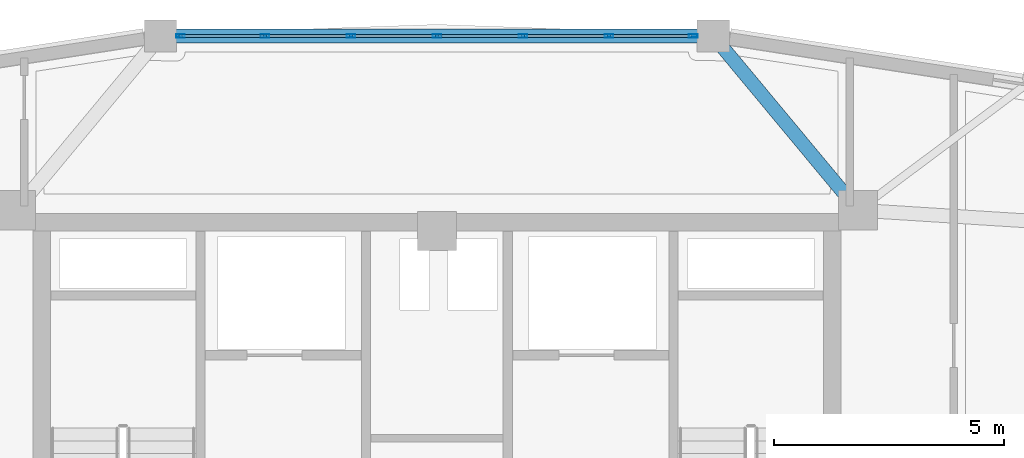
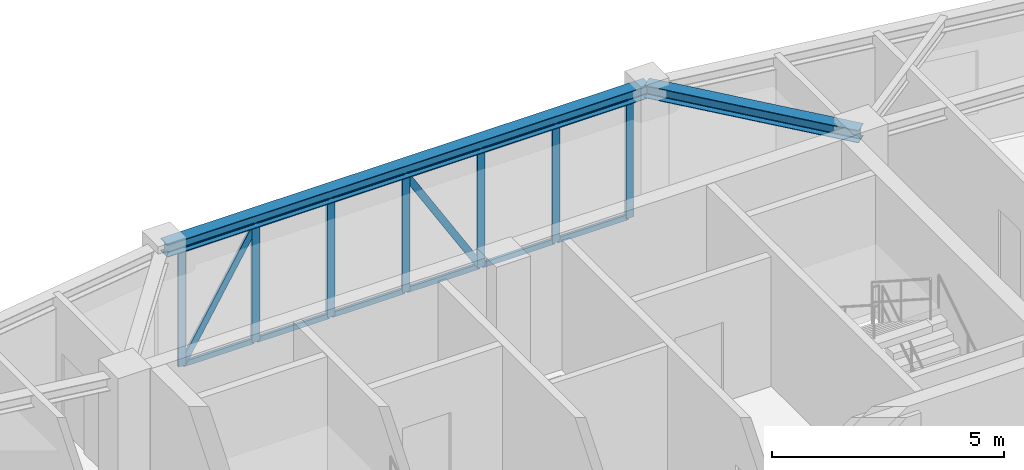
# One storey, part 9 of 15: 21 members, 2 beams, 1 element without a shape of its own.
"""IFC4 building model written with IfcOpenShell, lengths in metres."""

from ifc_helpers import new_model, si_unit, derived_unit, direction, frame, origin, origin_2d, place, context, subcontext, project, spatial, hollow_rectangle, i_section, extrude, source, transform, mapped, material, layer, layer_set, material_profile, profile_set, type_object, element, aggregate, save


model = new_model("IFC4")

# Units and contexts
model_context = context("Model", 3, precision=1e-05, world=origin(), true_north=direction((0.0, 1.0)))
body_context = subcontext(model_context, "Body", "Model", "MODEL_VIEW")
ifc_project = project(units=[si_unit("LENGTHUNIT", "METRE"), si_unit("AREAUNIT", "SQUARE_METRE"), si_unit("VOLUMEUNIT", "CUBIC_METRE"), si_unit("PLANEANGLEUNIT", "RADIAN"), si_unit("MASSUNIT", "GRAM", prefix="KILO"), derived_unit("THERMALTRANSMITTANCEUNIT", [(si_unit("POWERUNIT", "WATT"), 1), (si_unit("LENGTHUNIT", "METRE"), -2), (si_unit("THERMODYNAMICTEMPERATUREUNIT", "KELVIN"), -1)])], contexts=[model_context])

# Site, building, storey
site_placement = place(None, origin())
site = spatial("IfcSite", under=ifc_project, at=site_placement, CompositionType="ELEMENT")
building_placement = place(site_placement, origin())
building = spatial("IfcBuilding", under=site, at=building_placement, Name="Korsvarv Bourse and Concert Hall", CompositionType="ELEMENT")
storey_placement = place(building_placement, frame((0.0, 0.0, 246.60009765625)))
storey = spatial("IfcBuildingStorey", under=building, at=storey_placement, Name="L64", CompositionType="ELEMENT", Elevation=246.60009765625)

# Beams
ifc_material_1 = material(Name="Steel S355", Category="steel")
ifc_material_profile_1 = material_profile(ifc_material_1, i_section(OverallWidth=0.300048828125, OverallDepth=0.330078125, WebThickness=0.009521484375, FlangeThickness=0.0166015625, FilletRadius=0.02099609375, at=origin_2d()), Name="HEA 340")
ifc_profile_set_1 = profile_set([ifc_material_profile_1], Name="Steel S355")
beam_type = type_object("IfcBeamType", Name="BM-HEA340", PredefinedType="BEAM", material=ifc_profile_set_1)
shared_shape_1 = source(origin(), body_context, "Body", "SweptSolid", [
    extrude(i_section(OverallWidth=0.300048828125, OverallDepth=0.330078125, WebThickness=0.009521484375, FlangeThickness=0.0166015625, FilletRadius=0.02099609375, at=origin_2d()), origin(), (0.0, 0.0, 1.0), 12.0087890625),
])
beam_1_placement = place(storey_placement, frame((42.00439453125, 51.03271484375, 3.244873046875), z_axis=(-1.0, 0.0, 0.0), x_axis=(0.0, -1.0, 0.0)))
element("IfcBeam", 1, at=beam_1_placement, inside=storey, type_object=beam_type, Name="L64 beam B-12", PredefinedType="BEAM", context=body_context, shape_type="MappedRepresentation", body=[
    mapped(shared_shape_1, transform((0.0, 0.0, 0.0), scale=1.0)),
])
shared_shape_2 = source(origin(), body_context, "Body", "SweptSolid", [
    extrude(i_section(OverallWidth=0.300048828125, OverallDepth=0.330078125, WebThickness=0.009521484375, FlangeThickness=0.0166015625, FilletRadius=0.02099609375, at=origin_2d()), origin(), (0.0, 0.0, 1.0), 4.919677734375),
])
beam_2_placement = place(storey_placement, frame((42.00439453125, 51.03271484375, 3.244873046875), z_axis=(0.6393737664, -0.768896083251, 0.0), x_axis=(0.768896083251, 0.6393737664, 0.0)))
element("IfcBeam", 2, at=beam_2_placement, inside=storey, type_object=beam_type, Name="L64 beam B-12", PredefinedType="BEAM", context=body_context, shape_type="MappedRepresentation", body=[
    mapped(shared_shape_2, transform((0.0, 0.0, 0.0), scale=1.0)),
])

# Curtain wall, members
ifc_material_2 = material(Name="Anodised aluminium and triple low-E glazing", Category="glass")
ifc_layer = layer(ifc_material_2, 0.199951171875)
ifc_layer_set = layer_set([ifc_layer], Name="Anodised aluminium and triple low-E glazing")
curtain_wall_type = type_object("IfcCurtainWallType", Name="CW-SYS-3", PredefinedType="NOTDEFINED", material=ifc_layer_set)
curtain_wall_placement = place(storey_placement, origin())
curtain_wall = element("IfcCurtainWall", 3, at=curtain_wall_placement, inside=storey, type_object=curtain_wall_type, Name="L64 CW3 curtain wall CW-L64-F03", PredefinedType="NOTDEFINED")
ifc_material_3 = material(Name="Extruded aluminium EN AW-6063 T66", Category="aluminium")
ifc_material_profile_2 = material_profile(ifc_material_3, hollow_rectangle(XDim=0.06494140625, YDim=0.1650390625, WallThickness=0.0048828125, at=origin_2d()), Name="ALU-M 65x165")
ifc_profile_set_2 = profile_set([ifc_material_profile_2], Name="Extruded aluminium EN AW-6063 T66")
member_type_1 = type_object("IfcMemberType", Name="CWM-165", PredefinedType="MULLION", material=ifc_profile_set_2)
shared_shape_3 = source(origin(), body_context, "Body", "SweptSolid", [
    extrude(hollow_rectangle(XDim=0.06494140625, YDim=0.1650390625, WallThickness=0.0048828125, at=origin_2d()), origin(), (0.0, 0.0, 1.0), 3.454833984375),
])
member_1_placement = place(storey_placement, frame((37.833251953125, 51.03271484375, 0.06494140625), z_axis=(-0.520520729394, 0.0, 0.853849032482), x_axis=(0.0, -1.0, 0.0)))
member_1 = element("IfcMember", 4, at=member_1_placement, type_object=member_type_1, Name="CW3 diagonal mullion 3", PredefinedType="MULLION", context=body_context, shape_type="MappedRepresentation", body=[
    mapped(shared_shape_3, transform((0.0, 0.0, 0.0), scale=1.0)),
])
ifc_material_profile_3 = material_profile(ifc_material_3, hollow_rectangle(XDim=0.06494140625, YDim=0.139892578125, WallThickness=0.00390625, at=origin_2d()), Name="ALU-T 65x140")
ifc_profile_set_3 = profile_set([ifc_material_profile_3], Name="Extruded aluminium EN AW-6063 T66")
member_type_2 = type_object("IfcMemberType", Name="CWT-140", PredefinedType="USERDEFINED", material=ifc_profile_set_3)
shared_shape_4 = source(origin(), body_context, "Body", "SweptSolid", [
    extrude(hollow_rectangle(XDim=0.06494140625, YDim=0.139892578125, WallThickness=0.00390625, at=origin_2d()), origin(), (0.0, 0.0, 1.0), 1.76318359375),
])
member_2_placement = place(storey_placement, frame((41.534423828125, 51.03271484375, 0.032470703125), z_axis=(-1.0, 0.0, 0.0), x_axis=(0.0, -1.0, 0.0)))
member_2 = element("IfcMember", 5, at=member_2_placement, type_object=member_type_2, Name="CW3 transom 1.1", ObjectType="TRANSOM", PredefinedType="USERDEFINED", context=body_context, shape_type="MappedRepresentation", body=[
    mapped(shared_shape_4, transform((0.0, 0.0, 0.0), scale=1.0)),
])
member_3_placement = place(storey_placement, frame((41.534423828125, 51.03271484375, 3.04736328125), z_axis=(-1.0, 0.0, 0.0), x_axis=(0.0, -1.0, 0.0)))
member_3 = element("IfcMember", 6, at=member_3_placement, type_object=member_type_2, Name="CW3 transom 1.2", ObjectType="TRANSOM", PredefinedType="USERDEFINED", context=body_context, shape_type="MappedRepresentation", body=[
    mapped(shared_shape_4, transform((0.0, 0.0, 0.0), scale=1.0)),
])
member_4_placement = place(storey_placement, frame((32.228759765625, 51.03271484375, 0.032470703125), z_axis=(-1.0, 0.0, 0.0), x_axis=(0.0, -1.0, 0.0)))
member_4 = element("IfcMember", 7, at=member_4_placement, type_object=member_type_2, Name="CW3 transom 6.1", ObjectType="TRANSOM", PredefinedType="USERDEFINED", context=body_context, shape_type="MappedRepresentation", body=[
    mapped(shared_shape_4, transform((0.0, 0.0, 0.0), scale=1.0)),
])
member_5_placement = place(storey_placement, frame((32.228759765625, 51.03271484375, 3.04736328125), z_axis=(-1.0, 0.0, 0.0), x_axis=(0.0, -1.0, 0.0)))
member_5 = element("IfcMember", 8, at=member_5_placement, type_object=member_type_2, Name="CW3 transom 6.2", ObjectType="TRANSOM", PredefinedType="USERDEFINED", context=body_context, shape_type="MappedRepresentation", body=[
    mapped(shared_shape_4, transform((0.0, 0.0, 0.0), scale=1.0)),
])
shared_shape_5 = source(origin(), body_context, "Body", "SweptSolid", [
    extrude(hollow_rectangle(XDim=0.06494140625, YDim=0.139892578125, WallThickness=0.00390625, at=origin_2d()), origin(), (0.0, 0.0, 1.0), 1.798095703125),
])
member_6_placement = place(storey_placement, frame((39.701171875, 51.03271484375, 0.032470703125), z_axis=(-1.0, 0.0, 0.0), x_axis=(0.0, -1.0, 0.0)))
member_6 = element("IfcMember", 9, at=member_6_placement, type_object=member_type_2, Name="CW3 transom 2.1", ObjectType="TRANSOM", PredefinedType="USERDEFINED", context=body_context, shape_type="MappedRepresentation", body=[
    mapped(shared_shape_5, transform((0.0, 0.0, 0.0), scale=1.0)),
])
member_7_placement = place(storey_placement, frame((39.701171875, 51.03271484375, 3.04736328125), z_axis=(-1.0, 0.0, 0.0), x_axis=(0.0, -1.0, 0.0)))
member_7 = element("IfcMember", 10, at=member_7_placement, type_object=member_type_2, Name="CW3 transom 2.2", ObjectType="TRANSOM", PredefinedType="USERDEFINED", context=body_context, shape_type="MappedRepresentation", body=[
    mapped(shared_shape_5, transform((0.0, 0.0, 0.0), scale=1.0)),
])
member_8_placement = place(storey_placement, frame((34.096923828125, 51.03271484375, 0.032470703125), z_axis=(-1.0, 0.0, 0.0), x_axis=(0.0, -1.0, 0.0)))
member_8 = element("IfcMember", 11, at=member_8_placement, type_object=member_type_2, Name="CW3 transom 5.1", ObjectType="TRANSOM", PredefinedType="USERDEFINED", context=body_context, shape_type="MappedRepresentation", body=[
    mapped(shared_shape_5, transform((0.0, 0.0, 0.0), scale=1.0)),
])
member_9_placement = place(storey_placement, frame((34.096923828125, 51.03271484375, 3.04736328125), z_axis=(-1.0, 0.0, 0.0), x_axis=(0.0, -1.0, 0.0)))
member_9 = element("IfcMember", 12, at=member_9_placement, type_object=member_type_2, Name="CW3 transom 5.2", ObjectType="TRANSOM", PredefinedType="USERDEFINED", context=body_context, shape_type="MappedRepresentation", body=[
    mapped(shared_shape_5, transform((0.0, 0.0, 0.0), scale=1.0)),
])
shared_shape_6 = source(origin(), body_context, "Body", "SweptSolid", [
    extrude(hollow_rectangle(XDim=0.06494140625, YDim=0.139892578125, WallThickness=0.00390625, at=origin_2d()), origin(), (0.0, 0.0, 1.0), 1.79833984375),
])
member_10_placement = place(storey_placement, frame((37.833251953125, 51.03271484375, 0.032470703125), z_axis=(-1.0, 0.0, 0.0), x_axis=(0.0, -1.0, 0.0)))
member_10 = element("IfcMember", 13, at=member_10_placement, type_object=member_type_2, Name="CW3 transom 3.1", ObjectType="TRANSOM", PredefinedType="USERDEFINED", context=body_context, shape_type="MappedRepresentation", body=[
    mapped(shared_shape_6, transform((0.0, 0.0, 0.0), scale=1.0)),
])
member_11_placement = place(storey_placement, frame((37.833251953125, 51.03271484375, 3.04736328125), z_axis=(-1.0, 0.0, 0.0), x_axis=(0.0, -1.0, 0.0)))
member_11 = element("IfcMember", 14, at=member_11_placement, type_object=member_type_2, Name="CW3 transom 3.2", ObjectType="TRANSOM", PredefinedType="USERDEFINED", context=body_context, shape_type="MappedRepresentation", body=[
    mapped(shared_shape_6, transform((0.0, 0.0, 0.0), scale=1.0)),
])
member_12_placement = place(storey_placement, frame((35.965087890625, 51.03271484375, 0.032470703125), z_axis=(-1.0, 0.0, 0.0), x_axis=(0.0, -1.0, 0.0)))
member_12 = element("IfcMember", 15, at=member_12_placement, type_object=member_type_2, Name="CW3 transom 4.1", ObjectType="TRANSOM", PredefinedType="USERDEFINED", context=body_context, shape_type="MappedRepresentation", body=[
    mapped(shared_shape_6, transform((0.0, 0.0, 0.0), scale=1.0)),
])
member_13_placement = place(storey_placement, frame((35.965087890625, 51.03271484375, 3.04736328125), z_axis=(-1.0, 0.0, 0.0), x_axis=(0.0, -1.0, 0.0)))
member_13 = element("IfcMember", 16, at=member_13_placement, type_object=member_type_2, Name="CW3 transom 4.2", ObjectType="TRANSOM", PredefinedType="USERDEFINED", context=body_context, shape_type="MappedRepresentation", body=[
    mapped(shared_shape_6, transform((0.0, 0.0, 0.0), scale=1.0)),
])
shared_shape_7 = source(origin(), body_context, "Body", "SweptSolid", [
    extrude(hollow_rectangle(XDim=0.06494140625, YDim=0.1650390625, WallThickness=0.0048828125, at=origin_2d()), origin(), (0.0, 0.0, 1.0), 3.436767578125),
])
member_14_placement = place(storey_placement, frame((30.465576171875, 51.03271484375, 0.06494140625), z_axis=(0.513042899114, 0.0, 0.858362967321), x_axis=(0.0, 1.0, 0.0)))
member_14 = element("IfcMember", 17, at=member_14_placement, type_object=member_type_1, Name="CW3 diagonal mullion 6", PredefinedType="MULLION", context=body_context, shape_type="MappedRepresentation", body=[
    mapped(shared_shape_7, transform((0.0, 0.0, 0.0), scale=1.0)),
])
ifc_material_profile_4 = material_profile(ifc_material_3, hollow_rectangle(XDim=0.070068359375, YDim=0.18994140625, WallThickness=0.0048828125, at=origin_2d()), Name="ALU-M 70x190")
ifc_profile_set_4 = profile_set([ifc_material_profile_4], Name="Extruded aluminium EN AW-6063 T66")
member_type_3 = type_object("IfcMemberType", Name="CWM-190", PredefinedType="MULLION", material=ifc_profile_set_4)
shared_shape_8 = source(origin(), body_context, "Body", "SweptSolid", [
    extrude(hollow_rectangle(XDim=0.070068359375, YDim=0.18994140625, WallThickness=0.0048828125, at=origin_2d()), origin(), (0.0, 0.0, 1.0), 3.079833984375),
])
member_15_placement = place(storey_placement, frame((41.5693359375, 51.03271484375, 0.0), z_axis=(0.0, 0.0, 1.0), x_axis=(0.0, -1.0, 0.0)))
member_15 = element("IfcMember", 18, at=member_15_placement, type_object=member_type_3, Name="CW3 mullion 1", PredefinedType="MULLION", context=body_context, shape_type="MappedRepresentation", body=[
    mapped(shared_shape_8, transform((0.0, 0.0, 0.0), scale=1.0)),
])
member_16_placement = place(storey_placement, frame((39.736328125, 51.03271484375, 0.0), z_axis=(0.0, 0.0, 1.0), x_axis=(0.0, -1.0, 0.0)))
member_16 = element("IfcMember", 19, at=member_16_placement, type_object=member_type_3, Name="CW3 mullion 2", PredefinedType="MULLION", context=body_context, shape_type="MappedRepresentation", body=[
    mapped(shared_shape_8, transform((0.0, 0.0, 0.0), scale=1.0)),
])
member_17_placement = place(storey_placement, frame((37.8681640625, 51.03271484375, 0.0), z_axis=(0.0, 0.0, 1.0), x_axis=(0.0, -1.0, 0.0)))
member_17 = element("IfcMember", 20, at=member_17_placement, type_object=member_type_3, Name="CW3 mullion 3", PredefinedType="MULLION", context=body_context, shape_type="MappedRepresentation", body=[
    mapped(shared_shape_8, transform((0.0, 0.0, 0.0), scale=1.0)),
])
member_18_placement = place(storey_placement, frame((36.0, 51.03271484375, 0.0), z_axis=(0.0, 0.0, 1.0), x_axis=(0.0, -1.0, 0.0)))
member_18 = element("IfcMember", 21, at=member_18_placement, type_object=member_type_3, Name="CW3 mullion 4", PredefinedType="MULLION", context=body_context, shape_type="MappedRepresentation", body=[
    mapped(shared_shape_8, transform((0.0, 0.0, 0.0), scale=1.0)),
])
member_19_placement = place(storey_placement, frame((34.1318359375, 51.03271484375, 0.0), z_axis=(0.0, 0.0, 1.0), x_axis=(0.0, -1.0, 0.0)))
member_19 = element("IfcMember", 22, at=member_19_placement, type_object=member_type_3, Name="CW3 mullion 5", PredefinedType="MULLION", context=body_context, shape_type="MappedRepresentation", body=[
    mapped(shared_shape_8, transform((0.0, 0.0, 0.0), scale=1.0)),
])
member_20_placement = place(storey_placement, frame((32.263671875, 51.03271484375, 0.0), z_axis=(0.0, 0.0, 1.0), x_axis=(0.0, -1.0, 0.0)))
member_20 = element("IfcMember", 23, at=member_20_placement, type_object=member_type_3, Name="CW3 mullion 6", PredefinedType="MULLION", context=body_context, shape_type="MappedRepresentation", body=[
    mapped(shared_shape_8, transform((0.0, 0.0, 0.0), scale=1.0)),
])
member_21_placement = place(storey_placement, frame((30.4306640625, 51.03271484375, 0.0), z_axis=(0.0, 0.0, 1.0), x_axis=(0.0, -1.0, 0.0)))
member_21 = element("IfcMember", 24, at=member_21_placement, type_object=member_type_3, Name="CW3 mullion 7", PredefinedType="MULLION", context=body_context, shape_type="MappedRepresentation", body=[
    mapped(shared_shape_8, transform((0.0, 0.0, 0.0), scale=1.0)),
])
aggregate(curtain_wall, [member_15, member_16, member_17, member_18, member_19, member_20, member_21, member_2, member_3, member_6, member_7, member_10, member_11, member_1, member_12, member_13, member_8, member_9, member_4, member_5, member_14])

save(model, "model.ifc")
